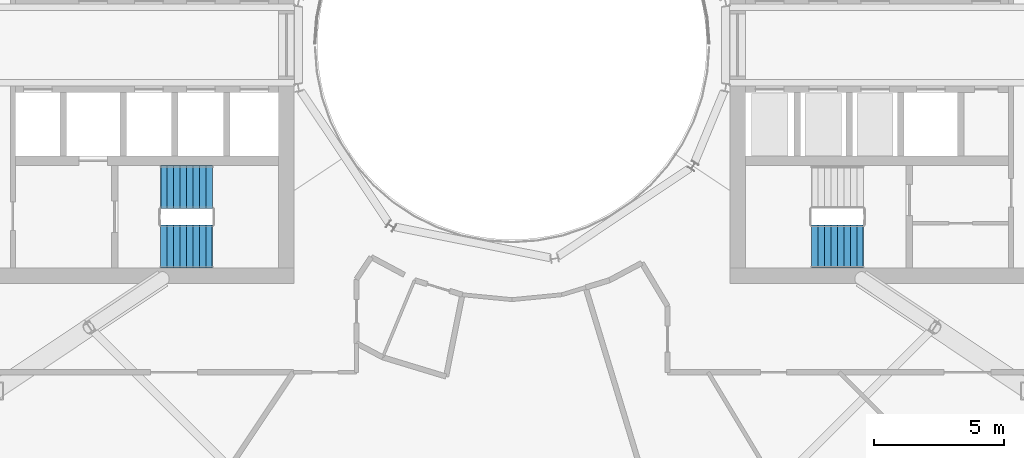
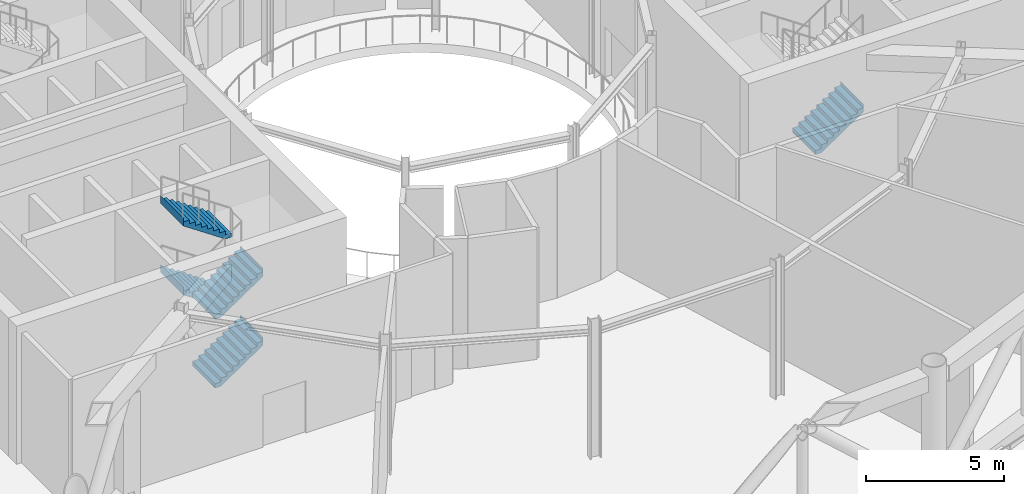
# One storey, part 16 of 25: 5 stair flights, 2 elements without a shape of their own.
"""IFC4 building model written with IfcOpenShell, lengths in metres."""

from ifc_helpers import new_model, si_unit, direction, frame, origin, place, context, subcontext, project, spatial, triangles, material, type_object, element, aggregate, save


model = new_model("IFC4")

# Units and contexts
model_context = context("Model", 3, precision=1e-05, world=origin(), true_north=direction((0.0, 1.0)))
body_context = subcontext(model_context, "Body", "Model", "MODEL_VIEW")
ifc_project = project(units=[si_unit("LENGTHUNIT", "METRE"), si_unit("AREAUNIT", "SQUARE_METRE"), si_unit("VOLUMEUNIT", "CUBIC_METRE"), si_unit("PLANEANGLEUNIT", "RADIAN"), si_unit("MASSUNIT", "GRAM", prefix="KILO")], contexts=[model_context])

# Site, building, storey
site_placement = place(None, origin())
site = spatial("IfcSite", under=ifc_project, at=site_placement, CompositionType="ELEMENT")
building_placement = place(site_placement, origin())
building = spatial("IfcBuilding", under=site, at=building_placement, Name="Maasbend Ring Residences", CompositionType="ELEMENT")
storey_placement = place(building_placement, frame((0.0, 0.0, 139.10009765625)))
storey = spatial("IfcBuildingStorey", under=building, at=storey_placement, Name="L40", CompositionType="ELEMENT", Elevation=139.10009765625)

# Stair, stair flight
ifc_material_1 = material(Name="Concrete C40/50", Category="concrete")
stair_type = type_object("IfcStairType", Name="CORE STAIR 36 RISERS", PredefinedType="HALF_TURN_STAIR", material=ifc_material_1)
stair_1_placement = place(storey_placement, origin())
stair_1 = element("IfcStair", 1, at=stair_1_placement, inside=storey, type_object=stair_type, Name="L40 Exit stair ST-E2", PredefinedType="HALF_TURN_STAIR")
ifc_material_2 = material(Name="Concrete C40/50", Category="concrete")
stair_flight_type = type_object("IfcStairFlightType", Name="CORE STAIR FLIGHT 1650", PredefinedType="STRAIGHT", material=ifc_material_2)
stair_flight_1_placement = place(storey_placement, frame((11.550048828125, -7.77490234375, 1.52490234375), z_axis=(0.0, 0.0, 1.0), x_axis=(1.0, 0.0, 0.0)))
stair_flight_1 = element("IfcStairFlight", 2, at=stair_flight_1_placement, type_object=stair_flight_type, Name="ST-E2 flight 2", NumberOfRisers=9, NumberOfTreads=8, PredefinedType="STRAIGHT", RiserHeight=0.169444444, TreadLength=0.25, context=body_context, shape_type="Tessellation", body=[
    triangles([(0.24072265625, 0.824951171875, -0.02001953125), (2.0029296875, 0.824951171875, 1.174560546875), (2.0029296875, 0.824951171875, 1.52490234375), (1.989990234375, 0.824951171875, 1.35546875), (1.75, 0.824951171875, 1.35546875), (1.75, 0.824951171875, 1.18603515625), (1.5, 0.824951171875, 1.18603515625), (1.5, 0.824951171875, 1.0166015625), (1.25, 0.824951171875, 1.0166015625), (1.25, 0.824951171875, 0.84716796875), (1.0, 0.824951171875, 0.84716796875), (1.0, 0.824951171875, 0.677734375), (0.75, 0.824951171875, 0.677734375), (0.75, 0.824951171875, 0.50830078125), (0.5, 0.824951171875, 0.50830078125), (0.5, 0.824951171875, 0.3388671875), (0.25, 0.824951171875, 0.3388671875), (0.25, 0.824951171875, 0.16943359375), (0.0, 0.824951171875, 0.16943359375), (0.0, 0.824951171875, 0.0), (-0.0029296875, 0.824951171875, 0.0), (-0.0029296875, 0.824951171875, -0.02001953125), (0.24072265625, 0.27490234375, -0.02001953125), (2.0029296875, 0.27490234375, 1.174560546875), (2.0029296875, 0.27490234375, 1.52490234375), (1.989990234375, 0.27490234375, 1.35546875), (1.75, 0.27490234375, 1.35546875), (1.75, 0.27490234375, 1.18603515625), (1.5, 0.27490234375, 1.18603515625), (1.5, 0.27490234375, 1.0166015625), (1.25, 0.27490234375, 1.0166015625), (1.25, 0.27490234375, 0.84716796875), (1.0, 0.27490234375, 0.84716796875), (1.0, 0.27490234375, 0.677734375), (0.75, 0.27490234375, 0.677734375), (0.75, 0.27490234375, 0.50830078125), (0.5, 0.27490234375, 0.50830078125), (0.5, 0.27490234375, 0.3388671875), (0.25, 0.27490234375, 0.3388671875), (0.25, 0.27490234375, 0.16943359375), (0.0, 0.27490234375, 0.16943359375), (0.0, 0.27490234375, 0.0), (-0.0029296875, 0.27490234375, 0.0), (-0.0029296875, 0.27490234375, -0.02001953125), (0.24072265625, -0.27490234375, -0.02001953125), (2.0029296875, -0.27490234375, 1.174560546875), (2.0029296875, -0.27490234375, 1.52490234375), (1.989990234375, -0.27490234375, 1.35546875), (1.75, -0.27490234375, 1.35546875), (1.75, -0.27490234375, 1.18603515625), (1.5, -0.27490234375, 1.18603515625), (1.5, -0.27490234375, 1.0166015625), (1.25, -0.27490234375, 1.0166015625), (1.25, -0.27490234375, 0.84716796875), (1.0, -0.27490234375, 0.84716796875), (1.0, -0.27490234375, 0.677734375), (0.75, -0.27490234375, 0.677734375), (0.75, -0.27490234375, 0.50830078125), (0.5, -0.27490234375, 0.50830078125), (0.5, -0.27490234375, 0.3388671875), (0.25, -0.27490234375, 0.3388671875), (0.25, -0.27490234375, 0.16943359375), (0.0, -0.27490234375, 0.16943359375), (0.0, -0.27490234375, 0.0), (-0.0029296875, -0.27490234375, 0.0), (-0.0029296875, -0.27490234375, -0.02001953125), (0.24072265625, -0.824951171875, -0.02001953125), (2.0029296875, -0.824951171875, 1.174560546875), (2.0029296875, -0.824951171875, 1.52490234375), (1.989990234375, -0.824951171875, 1.35546875), (1.75, -0.824951171875, 1.35546875), (1.75, -0.824951171875, 1.18603515625), (1.5, -0.824951171875, 1.18603515625), (1.5, -0.824951171875, 1.0166015625), (1.25, -0.824951171875, 1.0166015625), (1.25, -0.824951171875, 0.84716796875), (1.0, -0.824951171875, 0.84716796875), (1.0, -0.824951171875, 0.677734375), (0.75, -0.824951171875, 0.677734375), (0.75, -0.824951171875, 0.50830078125), (0.5, -0.824951171875, 0.50830078125), (0.5, -0.824951171875, 0.3388671875), (0.25, -0.824951171875, 0.3388671875), (0.25, -0.824951171875, 0.16943359375), (0.0, -0.824951171875, 0.16943359375), (0.0, -0.824951171875, 0.0), (-0.0029296875, -0.824951171875, 0.0), (-0.0029296875, -0.824951171875, -0.02001953125)], [[1, 2, 24], [1, 24, 23], [23, 24, 46], [23, 46, 45], [45, 46, 68], [45, 68, 67], [2, 3, 25], [2, 25, 24], [24, 25, 47], [24, 47, 46], [46, 47, 69], [46, 69, 68], [3, 4, 26], [3, 26, 25], [25, 26, 48], [25, 48, 47], [47, 48, 70], [47, 70, 69], [4, 5, 27], [4, 27, 26], [26, 27, 49], [26, 49, 48], [48, 49, 71], [48, 71, 70], [5, 6, 28], [5, 28, 27], [27, 28, 50], [27, 50, 49], [49, 50, 72], [49, 72, 71], [6, 7, 29], [6, 29, 28], [28, 29, 51], [28, 51, 50], [50, 51, 73], [50, 73, 72], [7, 8, 30], [7, 30, 29], [29, 30, 52], [29, 52, 51], [51, 52, 74], [51, 74, 73], [8, 9, 31], [8, 31, 30], [30, 31, 53], [30, 53, 52], [52, 53, 75], [52, 75, 74], [9, 10, 32], [9, 32, 31], [31, 32, 54], [31, 54, 53], [53, 54, 76], [53, 76, 75], [10, 11, 33], [10, 33, 32], [32, 33, 55], [32, 55, 54], [54, 55, 77], [54, 77, 76], [11, 12, 34], [11, 34, 33], [33, 34, 56], [33, 56, 55], [55, 56, 78], [55, 78, 77], [12, 13, 35], [12, 35, 34], [34, 35, 57], [34, 57, 56], [56, 57, 79], [56, 79, 78], [13, 14, 36], [13, 36, 35], [35, 36, 58], [35, 58, 57], [57, 58, 80], [57, 80, 79], [14, 15, 37], [14, 37, 36], [36, 37, 59], [36, 59, 58], [58, 59, 81], [58, 81, 80], [15, 16, 38], [15, 38, 37], [37, 38, 60], [37, 60, 59], [59, 60, 82], [59, 82, 81], [16, 17, 39], [16, 39, 38], [38, 39, 61], [38, 61, 60], [60, 61, 83], [60, 83, 82], [17, 18, 40], [17, 40, 39], [39, 40, 62], [39, 62, 61], [61, 62, 84], [61, 84, 83], [18, 19, 41], [18, 41, 40], [40, 41, 63], [40, 63, 62], [62, 63, 85], [62, 85, 84], [19, 20, 42], [19, 42, 41], [41, 42, 64], [41, 64, 63], [63, 64, 86], [63, 86, 85], [20, 21, 43], [20, 43, 42], [42, 43, 65], [42, 65, 64], [64, 65, 87], [64, 87, 86], [21, 22, 44], [21, 44, 43], [43, 44, 66], [43, 66, 65], [65, 66, 88], [65, 88, 87], [22, 1, 23], [22, 23, 44], [44, 23, 45], [44, 45, 66], [66, 45, 67], [66, 67, 88], [22, 2, 1], [2, 4, 3], [2, 5, 4], [2, 6, 5], [22, 6, 2], [6, 8, 7], [22, 8, 6], [8, 10, 9], [22, 10, 8], [10, 12, 11], [22, 12, 10], [12, 14, 13], [22, 14, 12], [14, 16, 15], [22, 16, 14], [16, 18, 17], [22, 18, 16], [18, 20, 19], [22, 20, 18], [20, 22, 21], [88, 67, 68], [68, 69, 70], [68, 70, 71], [68, 71, 72], [88, 68, 72], [72, 73, 74], [88, 72, 74], [74, 75, 76], [88, 74, 76], [76, 77, 78], [88, 76, 78], [78, 79, 80], [88, 78, 80], [80, 81, 82], [88, 80, 82], [82, 83, 84], [88, 82, 84], [84, 85, 86], [88, 84, 86], [86, 87, 88]], closed=True),
])
aggregate(stair_1, [stair_flight_1])

# Stair, stair flights
stair_2_placement = place(storey_placement, origin())
stair_2 = element("IfcStair", 3, at=stair_2_placement, inside=storey, type_object=stair_type, Name="L40 Exit stair ST-W1", PredefinedType="HALF_TURN_STAIR")
stair_flight_2_placement = place(storey_placement, frame((-13.550048828125, -7.77490234375, 0.0), z_axis=(0.0, 0.0, 1.0), x_axis=(1.0, 0.0, 0.0)))
stair_flight_2 = element("IfcStairFlight", 4, at=stair_flight_2_placement, type_object=stair_flight_type, Name="ST-W1 flight 1", NumberOfRisers=9, NumberOfTreads=8, PredefinedType="STRAIGHT", RiserHeight=0.169444444, TreadLength=0.25, context=body_context, shape_type="Tessellation", body=[
    triangles([(0.24072265625, 0.824951171875, -0.02001953125), (2.0029296875, 0.824951171875, 1.174560546875), (2.0029296875, 0.824951171875, 1.52490234375), (1.989990234375, 0.824951171875, 1.35546875), (1.75, 0.824951171875, 1.35546875), (1.75, 0.824951171875, 1.18603515625), (1.5, 0.824951171875, 1.18603515625), (1.5, 0.824951171875, 1.0166015625), (1.25, 0.824951171875, 1.0166015625), (1.25, 0.824951171875, 0.84716796875), (1.0, 0.824951171875, 0.84716796875), (1.0, 0.824951171875, 0.677734375), (0.75, 0.824951171875, 0.677734375), (0.75, 0.824951171875, 0.50830078125), (0.5, 0.824951171875, 0.50830078125), (0.5, 0.824951171875, 0.3388671875), (0.25, 0.824951171875, 0.3388671875), (0.25, 0.824951171875, 0.16943359375), (0.0, 0.824951171875, 0.16943359375), (0.0, 0.824951171875, 0.0), (-0.0029296875, 0.824951171875, 0.0), (-0.0029296875, 0.824951171875, -0.02001953125), (0.24072265625, 0.27490234375, -0.02001953125), (2.0029296875, 0.27490234375, 1.174560546875), (2.0029296875, 0.27490234375, 1.52490234375), (1.989990234375, 0.27490234375, 1.35546875), (1.75, 0.27490234375, 1.35546875), (1.75, 0.27490234375, 1.18603515625), (1.5, 0.27490234375, 1.18603515625), (1.5, 0.27490234375, 1.0166015625), (1.25, 0.27490234375, 1.0166015625), (1.25, 0.27490234375, 0.84716796875), (1.0, 0.27490234375, 0.84716796875), (1.0, 0.27490234375, 0.677734375), (0.75, 0.27490234375, 0.677734375), (0.75, 0.27490234375, 0.50830078125), (0.5, 0.27490234375, 0.50830078125), (0.5, 0.27490234375, 0.3388671875), (0.25, 0.27490234375, 0.3388671875), (0.25, 0.27490234375, 0.16943359375), (0.0, 0.27490234375, 0.16943359375), (0.0, 0.27490234375, 0.0), (-0.0029296875, 0.27490234375, 0.0), (-0.0029296875, 0.27490234375, -0.02001953125), (0.24072265625, -0.27490234375, -0.02001953125), (2.0029296875, -0.27490234375, 1.174560546875), (2.0029296875, -0.27490234375, 1.52490234375), (1.989990234375, -0.27490234375, 1.35546875), (1.75, -0.27490234375, 1.35546875), (1.75, -0.27490234375, 1.18603515625), (1.5, -0.27490234375, 1.18603515625), (1.5, -0.27490234375, 1.0166015625), (1.25, -0.27490234375, 1.0166015625), (1.25, -0.27490234375, 0.84716796875), (1.0, -0.27490234375, 0.84716796875), (1.0, -0.27490234375, 0.677734375), (0.75, -0.27490234375, 0.677734375), (0.75, -0.27490234375, 0.50830078125), (0.5, -0.27490234375, 0.50830078125), (0.5, -0.27490234375, 0.3388671875), (0.25, -0.27490234375, 0.3388671875), (0.25, -0.27490234375, 0.16943359375), (0.0, -0.27490234375, 0.16943359375), (0.0, -0.27490234375, 0.0), (-0.0029296875, -0.27490234375, 0.0), (-0.0029296875, -0.27490234375, -0.02001953125), (0.24072265625, -0.824951171875, -0.02001953125), (2.0029296875, -0.824951171875, 1.174560546875), (2.0029296875, -0.824951171875, 1.52490234375), (1.989990234375, -0.824951171875, 1.35546875), (1.75, -0.824951171875, 1.35546875), (1.75, -0.824951171875, 1.18603515625), (1.5, -0.824951171875, 1.18603515625), (1.5, -0.824951171875, 1.0166015625), (1.25, -0.824951171875, 1.0166015625), (1.25, -0.824951171875, 0.84716796875), (1.0, -0.824951171875, 0.84716796875), (1.0, -0.824951171875, 0.677734375), (0.75, -0.824951171875, 0.677734375), (0.75, -0.824951171875, 0.50830078125), (0.5, -0.824951171875, 0.50830078125), (0.5, -0.824951171875, 0.3388671875), (0.25, -0.824951171875, 0.3388671875), (0.25, -0.824951171875, 0.16943359375), (0.0, -0.824951171875, 0.16943359375), (0.0, -0.824951171875, 0.0), (-0.0029296875, -0.824951171875, 0.0), (-0.0029296875, -0.824951171875, -0.02001953125)], [[1, 2, 24], [1, 24, 23], [23, 24, 46], [23, 46, 45], [45, 46, 68], [45, 68, 67], [2, 3, 25], [2, 25, 24], [24, 25, 47], [24, 47, 46], [46, 47, 69], [46, 69, 68], [3, 4, 26], [3, 26, 25], [25, 26, 48], [25, 48, 47], [47, 48, 70], [47, 70, 69], [4, 5, 27], [4, 27, 26], [26, 27, 49], [26, 49, 48], [48, 49, 71], [48, 71, 70], [5, 6, 28], [5, 28, 27], [27, 28, 50], [27, 50, 49], [49, 50, 72], [49, 72, 71], [6, 7, 29], [6, 29, 28], [28, 29, 51], [28, 51, 50], [50, 51, 73], [50, 73, 72], [7, 8, 30], [7, 30, 29], [29, 30, 52], [29, 52, 51], [51, 52, 74], [51, 74, 73], [8, 9, 31], [8, 31, 30], [30, 31, 53], [30, 53, 52], [52, 53, 75], [52, 75, 74], [9, 10, 32], [9, 32, 31], [31, 32, 54], [31, 54, 53], [53, 54, 76], [53, 76, 75], [10, 11, 33], [10, 33, 32], [32, 33, 55], [32, 55, 54], [54, 55, 77], [54, 77, 76], [11, 12, 34], [11, 34, 33], [33, 34, 56], [33, 56, 55], [55, 56, 78], [55, 78, 77], [12, 13, 35], [12, 35, 34], [34, 35, 57], [34, 57, 56], [56, 57, 79], [56, 79, 78], [13, 14, 36], [13, 36, 35], [35, 36, 58], [35, 58, 57], [57, 58, 80], [57, 80, 79], [14, 15, 37], [14, 37, 36], [36, 37, 59], [36, 59, 58], [58, 59, 81], [58, 81, 80], [15, 16, 38], [15, 38, 37], [37, 38, 60], [37, 60, 59], [59, 60, 82], [59, 82, 81], [16, 17, 39], [16, 39, 38], [38, 39, 61], [38, 61, 60], [60, 61, 83], [60, 83, 82], [17, 18, 40], [17, 40, 39], [39, 40, 62], [39, 62, 61], [61, 62, 84], [61, 84, 83], [18, 19, 41], [18, 41, 40], [40, 41, 63], [40, 63, 62], [62, 63, 85], [62, 85, 84], [19, 20, 42], [19, 42, 41], [41, 42, 64], [41, 64, 63], [63, 64, 86], [63, 86, 85], [20, 21, 43], [20, 43, 42], [42, 43, 65], [42, 65, 64], [64, 65, 87], [64, 87, 86], [21, 22, 44], [21, 44, 43], [43, 44, 66], [43, 66, 65], [65, 66, 88], [65, 88, 87], [22, 1, 23], [22, 23, 44], [44, 23, 45], [44, 45, 66], [66, 45, 67], [66, 67, 88], [22, 2, 1], [2, 4, 3], [2, 5, 4], [2, 6, 5], [22, 6, 2], [6, 8, 7], [22, 8, 6], [8, 10, 9], [22, 10, 8], [10, 12, 11], [22, 12, 10], [12, 14, 13], [22, 14, 12], [14, 16, 15], [22, 16, 14], [16, 18, 17], [22, 18, 16], [18, 20, 19], [22, 20, 18], [20, 22, 21], [88, 67, 68], [68, 69, 70], [68, 70, 71], [68, 71, 72], [88, 68, 72], [72, 73, 74], [88, 72, 74], [74, 75, 76], [88, 74, 76], [76, 77, 78], [88, 76, 78], [78, 79, 80], [88, 78, 80], [80, 81, 82], [88, 80, 82], [82, 83, 84], [88, 82, 84], [84, 85, 86], [88, 84, 86], [86, 87, 88]], closed=True),
])
stair_flight_3_placement = place(storey_placement, frame((-11.550048828125, -5.47509765625, 1.52490234375), z_axis=(0.0, 0.0, 1.0), x_axis=(-1.0, 0.0, 0.0)))
stair_flight_3 = element("IfcStairFlight", 5, at=stair_flight_3_placement, type_object=stair_flight_type, Name="ST-W1 flight 2", NumberOfRisers=9, NumberOfTreads=8, PredefinedType="STRAIGHT", RiserHeight=0.169444444, TreadLength=0.25, context=body_context, shape_type="Tessellation", body=[
    triangles([(0.24072265625, 0.824951171875, -0.02001953125), (2.0029296875, 0.824951171875, 1.174560546875), (2.0029296875, 0.824951171875, 1.52490234375), (1.989990234375, 0.824951171875, 1.35546875), (1.75, 0.824951171875, 1.35546875), (1.75, 0.824951171875, 1.18603515625), (1.5, 0.824951171875, 1.18603515625), (1.5, 0.824951171875, 1.0166015625), (1.25, 0.824951171875, 1.0166015625), (1.25, 0.824951171875, 0.84716796875), (1.0, 0.824951171875, 0.84716796875), (1.0, 0.824951171875, 0.677734375), (0.75, 0.824951171875, 0.677734375), (0.75, 0.824951171875, 0.50830078125), (0.5, 0.824951171875, 0.50830078125), (0.5, 0.824951171875, 0.3388671875), (0.25, 0.824951171875, 0.3388671875), (0.25, 0.824951171875, 0.16943359375), (0.0, 0.824951171875, 0.16943359375), (0.0, 0.824951171875, 0.0), (-0.0029296875, 0.824951171875, 0.0), (-0.0029296875, 0.824951171875, -0.02001953125), (0.24072265625, 0.27490234375, -0.02001953125), (2.0029296875, 0.27490234375, 1.174560546875), (2.0029296875, 0.27490234375, 1.52490234375), (1.989990234375, 0.27490234375, 1.35546875), (1.75, 0.27490234375, 1.35546875), (1.75, 0.27490234375, 1.18603515625), (1.5, 0.27490234375, 1.18603515625), (1.5, 0.27490234375, 1.0166015625), (1.25, 0.27490234375, 1.0166015625), (1.25, 0.27490234375, 0.84716796875), (1.0, 0.27490234375, 0.84716796875), (1.0, 0.27490234375, 0.677734375), (0.75, 0.27490234375, 0.677734375), (0.75, 0.27490234375, 0.50830078125), (0.5, 0.27490234375, 0.50830078125), (0.5, 0.27490234375, 0.3388671875), (0.25, 0.27490234375, 0.3388671875), (0.25, 0.27490234375, 0.16943359375), (0.0, 0.27490234375, 0.16943359375), (0.0, 0.27490234375, 0.0), (-0.0029296875, 0.27490234375, 0.0), (-0.0029296875, 0.27490234375, -0.02001953125), (0.24072265625, -0.27490234375, -0.02001953125), (2.0029296875, -0.27490234375, 1.174560546875), (2.0029296875, -0.27490234375, 1.52490234375), (1.989990234375, -0.27490234375, 1.35546875), (1.75, -0.27490234375, 1.35546875), (1.75, -0.27490234375, 1.18603515625), (1.5, -0.27490234375, 1.18603515625), (1.5, -0.27490234375, 1.0166015625), (1.25, -0.27490234375, 1.0166015625), (1.25, -0.27490234375, 0.84716796875), (1.0, -0.27490234375, 0.84716796875), (1.0, -0.27490234375, 0.677734375), (0.75, -0.27490234375, 0.677734375), (0.75, -0.27490234375, 0.50830078125), (0.5, -0.27490234375, 0.50830078125), (0.5, -0.27490234375, 0.3388671875), (0.25, -0.27490234375, 0.3388671875), (0.25, -0.27490234375, 0.16943359375), (0.0, -0.27490234375, 0.16943359375), (0.0, -0.27490234375, 0.0), (-0.0029296875, -0.27490234375, 0.0), (-0.0029296875, -0.27490234375, -0.02001953125), (0.24072265625, -0.824951171875, -0.02001953125), (2.0029296875, -0.824951171875, 1.174560546875), (2.0029296875, -0.824951171875, 1.52490234375), (1.989990234375, -0.824951171875, 1.35546875), (1.75, -0.824951171875, 1.35546875), (1.75, -0.824951171875, 1.18603515625), (1.5, -0.824951171875, 1.18603515625), (1.5, -0.824951171875, 1.0166015625), (1.25, -0.824951171875, 1.0166015625), (1.25, -0.824951171875, 0.84716796875), (1.0, -0.824951171875, 0.84716796875), (1.0, -0.824951171875, 0.677734375), (0.75, -0.824951171875, 0.677734375), (0.75, -0.824951171875, 0.50830078125), (0.5, -0.824951171875, 0.50830078125), (0.5, -0.824951171875, 0.3388671875), (0.25, -0.824951171875, 0.3388671875), (0.25, -0.824951171875, 0.16943359375), (0.0, -0.824951171875, 0.16943359375), (0.0, -0.824951171875, 0.0), (-0.0029296875, -0.824951171875, 0.0), (-0.0029296875, -0.824951171875, -0.02001953125)], [[1, 2, 24], [1, 24, 23], [23, 24, 46], [23, 46, 45], [45, 46, 68], [45, 68, 67], [2, 3, 25], [2, 25, 24], [24, 25, 47], [24, 47, 46], [46, 47, 69], [46, 69, 68], [3, 4, 26], [3, 26, 25], [25, 26, 48], [25, 48, 47], [47, 48, 70], [47, 70, 69], [4, 5, 27], [4, 27, 26], [26, 27, 49], [26, 49, 48], [48, 49, 71], [48, 71, 70], [5, 6, 28], [5, 28, 27], [27, 28, 50], [27, 50, 49], [49, 50, 72], [49, 72, 71], [6, 7, 29], [6, 29, 28], [28, 29, 51], [28, 51, 50], [50, 51, 73], [50, 73, 72], [7, 8, 30], [7, 30, 29], [29, 30, 52], [29, 52, 51], [51, 52, 74], [51, 74, 73], [8, 9, 31], [8, 31, 30], [30, 31, 53], [30, 53, 52], [52, 53, 75], [52, 75, 74], [9, 10, 32], [9, 32, 31], [31, 32, 54], [31, 54, 53], [53, 54, 76], [53, 76, 75], [10, 11, 33], [10, 33, 32], [32, 33, 55], [32, 55, 54], [54, 55, 77], [54, 77, 76], [11, 12, 34], [11, 34, 33], [33, 34, 56], [33, 56, 55], [55, 56, 78], [55, 78, 77], [12, 13, 35], [12, 35, 34], [34, 35, 57], [34, 57, 56], [56, 57, 79], [56, 79, 78], [13, 14, 36], [13, 36, 35], [35, 36, 58], [35, 58, 57], [57, 58, 80], [57, 80, 79], [14, 15, 37], [14, 37, 36], [36, 37, 59], [36, 59, 58], [58, 59, 81], [58, 81, 80], [15, 16, 38], [15, 38, 37], [37, 38, 60], [37, 60, 59], [59, 60, 82], [59, 82, 81], [16, 17, 39], [16, 39, 38], [38, 39, 61], [38, 61, 60], [60, 61, 83], [60, 83, 82], [17, 18, 40], [17, 40, 39], [39, 40, 62], [39, 62, 61], [61, 62, 84], [61, 84, 83], [18, 19, 41], [18, 41, 40], [40, 41, 63], [40, 63, 62], [62, 63, 85], [62, 85, 84], [19, 20, 42], [19, 42, 41], [41, 42, 64], [41, 64, 63], [63, 64, 86], [63, 86, 85], [20, 21, 43], [20, 43, 42], [42, 43, 65], [42, 65, 64], [64, 65, 87], [64, 87, 86], [21, 22, 44], [21, 44, 43], [43, 44, 66], [43, 66, 65], [65, 66, 88], [65, 88, 87], [22, 1, 23], [22, 23, 44], [44, 23, 45], [44, 45, 66], [66, 45, 67], [66, 67, 88], [22, 2, 1], [2, 4, 3], [2, 5, 4], [2, 6, 5], [22, 6, 2], [6, 8, 7], [22, 8, 6], [8, 10, 9], [22, 10, 8], [10, 12, 11], [22, 12, 10], [12, 14, 13], [22, 14, 12], [14, 16, 15], [22, 16, 14], [16, 18, 17], [22, 18, 16], [18, 20, 19], [22, 20, 18], [20, 22, 21], [88, 67, 68], [68, 69, 70], [68, 70, 71], [68, 71, 72], [88, 68, 72], [72, 73, 74], [88, 72, 74], [74, 75, 76], [88, 74, 76], [76, 77, 78], [88, 76, 78], [78, 79, 80], [88, 78, 80], [80, 81, 82], [88, 80, 82], [82, 83, 84], [88, 82, 84], [84, 85, 86], [88, 84, 86], [86, 87, 88]], closed=True),
])
stair_flight_4_placement = place(storey_placement, frame((-13.550048828125, -7.77490234375, 3.0498046875), z_axis=(0.0, 0.0, 1.0), x_axis=(1.0, 0.0, 0.0)))
stair_flight_4 = element("IfcStairFlight", 6, at=stair_flight_4_placement, type_object=stair_flight_type, Name="ST-W1 flight 3", NumberOfRisers=9, NumberOfTreads=8, PredefinedType="STRAIGHT", RiserHeight=0.169444444, TreadLength=0.25, context=body_context, shape_type="Tessellation", body=[
    triangles([(0.24072265625, 0.824951171875, -0.02001953125), (2.0029296875, 0.824951171875, 1.174560546875), (2.0029296875, 0.824951171875, 1.52490234375), (1.989990234375, 0.824951171875, 1.35546875), (1.75, 0.824951171875, 1.35546875), (1.75, 0.824951171875, 1.18603515625), (1.5, 0.824951171875, 1.18603515625), (1.5, 0.824951171875, 1.0166015625), (1.25, 0.824951171875, 1.0166015625), (1.25, 0.824951171875, 0.84716796875), (1.0, 0.824951171875, 0.84716796875), (1.0, 0.824951171875, 0.677734375), (0.75, 0.824951171875, 0.677734375), (0.75, 0.824951171875, 0.50830078125), (0.5, 0.824951171875, 0.50830078125), (0.5, 0.824951171875, 0.3388671875), (0.25, 0.824951171875, 0.3388671875), (0.25, 0.824951171875, 0.16943359375), (0.0, 0.824951171875, 0.16943359375), (0.0, 0.824951171875, 0.0), (-0.0029296875, 0.824951171875, 0.0), (-0.0029296875, 0.824951171875, -0.02001953125), (0.24072265625, 0.27490234375, -0.02001953125), (2.0029296875, 0.27490234375, 1.174560546875), (2.0029296875, 0.27490234375, 1.52490234375), (1.989990234375, 0.27490234375, 1.35546875), (1.75, 0.27490234375, 1.35546875), (1.75, 0.27490234375, 1.18603515625), (1.5, 0.27490234375, 1.18603515625), (1.5, 0.27490234375, 1.0166015625), (1.25, 0.27490234375, 1.0166015625), (1.25, 0.27490234375, 0.84716796875), (1.0, 0.27490234375, 0.84716796875), (1.0, 0.27490234375, 0.677734375), (0.75, 0.27490234375, 0.677734375), (0.75, 0.27490234375, 0.50830078125), (0.5, 0.27490234375, 0.50830078125), (0.5, 0.27490234375, 0.3388671875), (0.25, 0.27490234375, 0.3388671875), (0.25, 0.27490234375, 0.16943359375), (0.0, 0.27490234375, 0.16943359375), (0.0, 0.27490234375, 0.0), (-0.0029296875, 0.27490234375, 0.0), (-0.0029296875, 0.27490234375, -0.02001953125), (0.24072265625, -0.27490234375, -0.02001953125), (2.0029296875, -0.27490234375, 1.174560546875), (2.0029296875, -0.27490234375, 1.52490234375), (1.989990234375, -0.27490234375, 1.35546875), (1.75, -0.27490234375, 1.35546875), (1.75, -0.27490234375, 1.18603515625), (1.5, -0.27490234375, 1.18603515625), (1.5, -0.27490234375, 1.0166015625), (1.25, -0.27490234375, 1.0166015625), (1.25, -0.27490234375, 0.84716796875), (1.0, -0.27490234375, 0.84716796875), (1.0, -0.27490234375, 0.677734375), (0.75, -0.27490234375, 0.677734375), (0.75, -0.27490234375, 0.50830078125), (0.5, -0.27490234375, 0.50830078125), (0.5, -0.27490234375, 0.3388671875), (0.25, -0.27490234375, 0.3388671875), (0.25, -0.27490234375, 0.16943359375), (0.0, -0.27490234375, 0.16943359375), (0.0, -0.27490234375, 0.0), (-0.0029296875, -0.27490234375, 0.0), (-0.0029296875, -0.27490234375, -0.02001953125), (0.24072265625, -0.824951171875, -0.02001953125), (2.0029296875, -0.824951171875, 1.174560546875), (2.0029296875, -0.824951171875, 1.52490234375), (1.989990234375, -0.824951171875, 1.35546875), (1.75, -0.824951171875, 1.35546875), (1.75, -0.824951171875, 1.18603515625), (1.5, -0.824951171875, 1.18603515625), (1.5, -0.824951171875, 1.0166015625), (1.25, -0.824951171875, 1.0166015625), (1.25, -0.824951171875, 0.84716796875), (1.0, -0.824951171875, 0.84716796875), (1.0, -0.824951171875, 0.677734375), (0.75, -0.824951171875, 0.677734375), (0.75, -0.824951171875, 0.50830078125), (0.5, -0.824951171875, 0.50830078125), (0.5, -0.824951171875, 0.3388671875), (0.25, -0.824951171875, 0.3388671875), (0.25, -0.824951171875, 0.16943359375), (0.0, -0.824951171875, 0.16943359375), (0.0, -0.824951171875, 0.0), (-0.0029296875, -0.824951171875, 0.0), (-0.0029296875, -0.824951171875, -0.02001953125)], [[1, 2, 24], [1, 24, 23], [23, 24, 46], [23, 46, 45], [45, 46, 68], [45, 68, 67], [2, 3, 25], [2, 25, 24], [24, 25, 47], [24, 47, 46], [46, 47, 69], [46, 69, 68], [3, 4, 26], [3, 26, 25], [25, 26, 48], [25, 48, 47], [47, 48, 70], [47, 70, 69], [4, 5, 27], [4, 27, 26], [26, 27, 49], [26, 49, 48], [48, 49, 71], [48, 71, 70], [5, 6, 28], [5, 28, 27], [27, 28, 50], [27, 50, 49], [49, 50, 72], [49, 72, 71], [6, 7, 29], [6, 29, 28], [28, 29, 51], [28, 51, 50], [50, 51, 73], [50, 73, 72], [7, 8, 30], [7, 30, 29], [29, 30, 52], [29, 52, 51], [51, 52, 74], [51, 74, 73], [8, 9, 31], [8, 31, 30], [30, 31, 53], [30, 53, 52], [52, 53, 75], [52, 75, 74], [9, 10, 32], [9, 32, 31], [31, 32, 54], [31, 54, 53], [53, 54, 76], [53, 76, 75], [10, 11, 33], [10, 33, 32], [32, 33, 55], [32, 55, 54], [54, 55, 77], [54, 77, 76], [11, 12, 34], [11, 34, 33], [33, 34, 56], [33, 56, 55], [55, 56, 78], [55, 78, 77], [12, 13, 35], [12, 35, 34], [34, 35, 57], [34, 57, 56], [56, 57, 79], [56, 79, 78], [13, 14, 36], [13, 36, 35], [35, 36, 58], [35, 58, 57], [57, 58, 80], [57, 80, 79], [14, 15, 37], [14, 37, 36], [36, 37, 59], [36, 59, 58], [58, 59, 81], [58, 81, 80], [15, 16, 38], [15, 38, 37], [37, 38, 60], [37, 60, 59], [59, 60, 82], [59, 82, 81], [16, 17, 39], [16, 39, 38], [38, 39, 61], [38, 61, 60], [60, 61, 83], [60, 83, 82], [17, 18, 40], [17, 40, 39], [39, 40, 62], [39, 62, 61], [61, 62, 84], [61, 84, 83], [18, 19, 41], [18, 41, 40], [40, 41, 63], [40, 63, 62], [62, 63, 85], [62, 85, 84], [19, 20, 42], [19, 42, 41], [41, 42, 64], [41, 64, 63], [63, 64, 86], [63, 86, 85], [20, 21, 43], [20, 43, 42], [42, 43, 65], [42, 65, 64], [64, 65, 87], [64, 87, 86], [21, 22, 44], [21, 44, 43], [43, 44, 66], [43, 66, 65], [65, 66, 88], [65, 88, 87], [22, 1, 23], [22, 23, 44], [44, 23, 45], [44, 45, 66], [66, 45, 67], [66, 67, 88], [22, 2, 1], [2, 4, 3], [2, 5, 4], [2, 6, 5], [22, 6, 2], [6, 8, 7], [22, 8, 6], [8, 10, 9], [22, 10, 8], [10, 12, 11], [22, 12, 10], [12, 14, 13], [22, 14, 12], [14, 16, 15], [22, 16, 14], [16, 18, 17], [22, 18, 16], [18, 20, 19], [22, 20, 18], [20, 22, 21], [88, 67, 68], [68, 69, 70], [68, 70, 71], [68, 71, 72], [88, 68, 72], [72, 73, 74], [88, 72, 74], [74, 75, 76], [88, 74, 76], [76, 77, 78], [88, 76, 78], [78, 79, 80], [88, 78, 80], [80, 81, 82], [88, 80, 82], [82, 83, 84], [88, 82, 84], [84, 85, 86], [88, 84, 86], [86, 87, 88]], closed=True),
])
stair_flight_5_placement = place(storey_placement, frame((-11.550048828125, -5.47509765625, 4.574951171875), z_axis=(0.0, 0.0, 1.0), x_axis=(-1.0, 0.0, 0.0)))
stair_flight_5 = element("IfcStairFlight", 7, at=stair_flight_5_placement, type_object=stair_flight_type, Name="ST-W1 flight 4", NumberOfRisers=9, NumberOfTreads=8, PredefinedType="STRAIGHT", RiserHeight=0.169444444, TreadLength=0.25, context=body_context, shape_type="Tessellation", body=[
    triangles([(0.24072265625, 0.824951171875, -0.02001953125), (2.0029296875, 0.824951171875, 1.174560546875), (2.0029296875, 0.824951171875, 1.52490234375), (1.989990234375, 0.824951171875, 1.35546875), (1.75, 0.824951171875, 1.35546875), (1.75, 0.824951171875, 1.18603515625), (1.5, 0.824951171875, 1.18603515625), (1.5, 0.824951171875, 1.0166015625), (1.25, 0.824951171875, 1.0166015625), (1.25, 0.824951171875, 0.84716796875), (1.0, 0.824951171875, 0.84716796875), (1.0, 0.824951171875, 0.677734375), (0.75, 0.824951171875, 0.677734375), (0.75, 0.824951171875, 0.50830078125), (0.5, 0.824951171875, 0.50830078125), (0.5, 0.824951171875, 0.3388671875), (0.25, 0.824951171875, 0.3388671875), (0.25, 0.824951171875, 0.16943359375), (0.0, 0.824951171875, 0.16943359375), (0.0, 0.824951171875, 0.0), (-0.0029296875, 0.824951171875, 0.0), (-0.0029296875, 0.824951171875, -0.02001953125), (0.24072265625, 0.27490234375, -0.02001953125), (2.0029296875, 0.27490234375, 1.174560546875), (2.0029296875, 0.27490234375, 1.52490234375), (1.989990234375, 0.27490234375, 1.35546875), (1.75, 0.27490234375, 1.35546875), (1.75, 0.27490234375, 1.18603515625), (1.5, 0.27490234375, 1.18603515625), (1.5, 0.27490234375, 1.0166015625), (1.25, 0.27490234375, 1.0166015625), (1.25, 0.27490234375, 0.84716796875), (1.0, 0.27490234375, 0.84716796875), (1.0, 0.27490234375, 0.677734375), (0.75, 0.27490234375, 0.677734375), (0.75, 0.27490234375, 0.50830078125), (0.5, 0.27490234375, 0.50830078125), (0.5, 0.27490234375, 0.3388671875), (0.25, 0.27490234375, 0.3388671875), (0.25, 0.27490234375, 0.16943359375), (0.0, 0.27490234375, 0.16943359375), (0.0, 0.27490234375, 0.0), (-0.0029296875, 0.27490234375, 0.0), (-0.0029296875, 0.27490234375, -0.02001953125), (0.24072265625, -0.27490234375, -0.02001953125), (2.0029296875, -0.27490234375, 1.174560546875), (2.0029296875, -0.27490234375, 1.52490234375), (1.989990234375, -0.27490234375, 1.35546875), (1.75, -0.27490234375, 1.35546875), (1.75, -0.27490234375, 1.18603515625), (1.5, -0.27490234375, 1.18603515625), (1.5, -0.27490234375, 1.0166015625), (1.25, -0.27490234375, 1.0166015625), (1.25, -0.27490234375, 0.84716796875), (1.0, -0.27490234375, 0.84716796875), (1.0, -0.27490234375, 0.677734375), (0.75, -0.27490234375, 0.677734375), (0.75, -0.27490234375, 0.50830078125), (0.5, -0.27490234375, 0.50830078125), (0.5, -0.27490234375, 0.3388671875), (0.25, -0.27490234375, 0.3388671875), (0.25, -0.27490234375, 0.16943359375), (0.0, -0.27490234375, 0.16943359375), (0.0, -0.27490234375, 0.0), (-0.0029296875, -0.27490234375, 0.0), (-0.0029296875, -0.27490234375, -0.02001953125), (0.24072265625, -0.824951171875, -0.02001953125), (2.0029296875, -0.824951171875, 1.174560546875), (2.0029296875, -0.824951171875, 1.52490234375), (1.989990234375, -0.824951171875, 1.35546875), (1.75, -0.824951171875, 1.35546875), (1.75, -0.824951171875, 1.18603515625), (1.5, -0.824951171875, 1.18603515625), (1.5, -0.824951171875, 1.0166015625), (1.25, -0.824951171875, 1.0166015625), (1.25, -0.824951171875, 0.84716796875), (1.0, -0.824951171875, 0.84716796875), (1.0, -0.824951171875, 0.677734375), (0.75, -0.824951171875, 0.677734375), (0.75, -0.824951171875, 0.50830078125), (0.5, -0.824951171875, 0.50830078125), (0.5, -0.824951171875, 0.3388671875), (0.25, -0.824951171875, 0.3388671875), (0.25, -0.824951171875, 0.16943359375), (0.0, -0.824951171875, 0.16943359375), (0.0, -0.824951171875, 0.0), (-0.0029296875, -0.824951171875, 0.0), (-0.0029296875, -0.824951171875, -0.02001953125)], [[1, 2, 24], [1, 24, 23], [23, 24, 46], [23, 46, 45], [45, 46, 68], [45, 68, 67], [2, 3, 25], [2, 25, 24], [24, 25, 47], [24, 47, 46], [46, 47, 69], [46, 69, 68], [3, 4, 26], [3, 26, 25], [25, 26, 48], [25, 48, 47], [47, 48, 70], [47, 70, 69], [4, 5, 27], [4, 27, 26], [26, 27, 49], [26, 49, 48], [48, 49, 71], [48, 71, 70], [5, 6, 28], [5, 28, 27], [27, 28, 50], [27, 50, 49], [49, 50, 72], [49, 72, 71], [6, 7, 29], [6, 29, 28], [28, 29, 51], [28, 51, 50], [50, 51, 73], [50, 73, 72], [7, 8, 30], [7, 30, 29], [29, 30, 52], [29, 52, 51], [51, 52, 74], [51, 74, 73], [8, 9, 31], [8, 31, 30], [30, 31, 53], [30, 53, 52], [52, 53, 75], [52, 75, 74], [9, 10, 32], [9, 32, 31], [31, 32, 54], [31, 54, 53], [53, 54, 76], [53, 76, 75], [10, 11, 33], [10, 33, 32], [32, 33, 55], [32, 55, 54], [54, 55, 77], [54, 77, 76], [11, 12, 34], [11, 34, 33], [33, 34, 56], [33, 56, 55], [55, 56, 78], [55, 78, 77], [12, 13, 35], [12, 35, 34], [34, 35, 57], [34, 57, 56], [56, 57, 79], [56, 79, 78], [13, 14, 36], [13, 36, 35], [35, 36, 58], [35, 58, 57], [57, 58, 80], [57, 80, 79], [14, 15, 37], [14, 37, 36], [36, 37, 59], [36, 59, 58], [58, 59, 81], [58, 81, 80], [15, 16, 38], [15, 38, 37], [37, 38, 60], [37, 60, 59], [59, 60, 82], [59, 82, 81], [16, 17, 39], [16, 39, 38], [38, 39, 61], [38, 61, 60], [60, 61, 83], [60, 83, 82], [17, 18, 40], [17, 40, 39], [39, 40, 62], [39, 62, 61], [61, 62, 84], [61, 84, 83], [18, 19, 41], [18, 41, 40], [40, 41, 63], [40, 63, 62], [62, 63, 85], [62, 85, 84], [19, 20, 42], [19, 42, 41], [41, 42, 64], [41, 64, 63], [63, 64, 86], [63, 86, 85], [20, 21, 43], [20, 43, 42], [42, 43, 65], [42, 65, 64], [64, 65, 87], [64, 87, 86], [21, 22, 44], [21, 44, 43], [43, 44, 66], [43, 66, 65], [65, 66, 88], [65, 88, 87], [22, 1, 23], [22, 23, 44], [44, 23, 45], [44, 45, 66], [66, 45, 67], [66, 67, 88], [22, 2, 1], [2, 4, 3], [2, 5, 4], [2, 6, 5], [22, 6, 2], [6, 8, 7], [22, 8, 6], [8, 10, 9], [22, 10, 8], [10, 12, 11], [22, 12, 10], [12, 14, 13], [22, 14, 12], [14, 16, 15], [22, 16, 14], [16, 18, 17], [22, 18, 16], [18, 20, 19], [22, 20, 18], [20, 22, 21], [88, 67, 68], [68, 69, 70], [68, 70, 71], [68, 71, 72], [88, 68, 72], [72, 73, 74], [88, 72, 74], [74, 75, 76], [88, 74, 76], [76, 77, 78], [88, 76, 78], [78, 79, 80], [88, 78, 80], [80, 81, 82], [88, 80, 82], [82, 83, 84], [88, 82, 84], [84, 85, 86], [88, 84, 86], [86, 87, 88]], closed=True),
])
aggregate(stair_2, [stair_flight_2, stair_flight_3, stair_flight_4, stair_flight_5])

save(model, "model.ifc")
